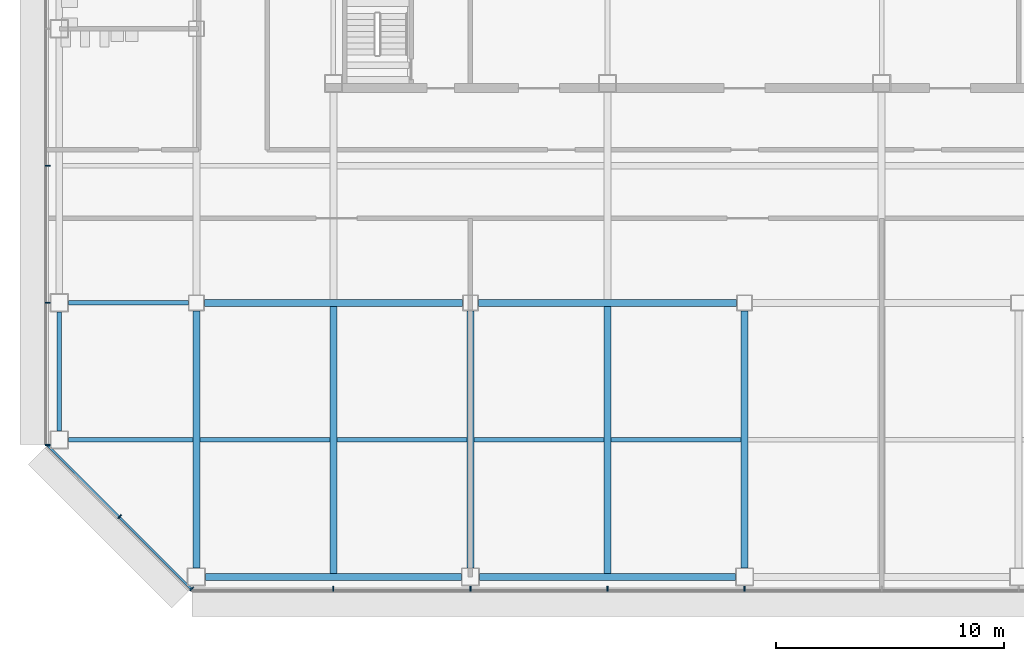
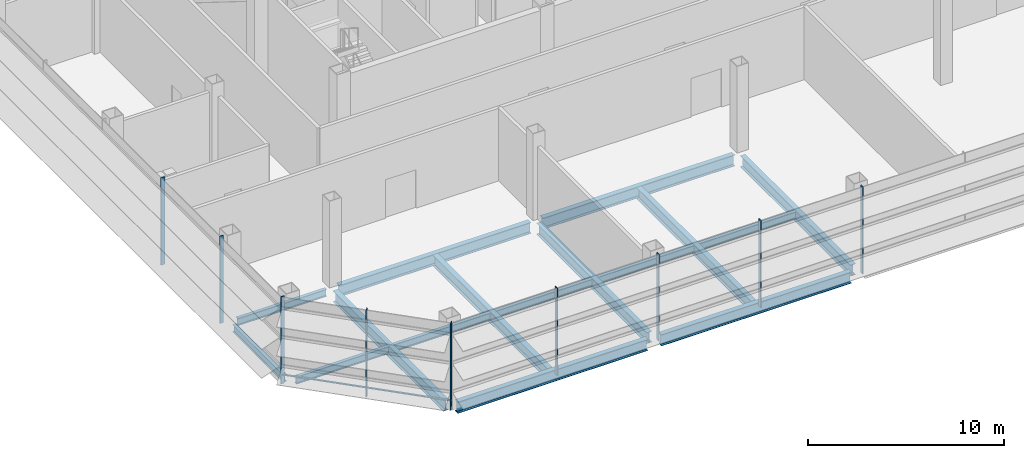
# One storey, part 2 of 23: 16 beams, 10 members, 3 elements without a shape of their own.
"""IFC4 building model written with IfcOpenShell, lengths in metres."""

from ifc_helpers import new_model, si_unit, direction, frame, origin, origin_2d, place, context, subcontext, project, spatial, rectangle, i_section, extrude, material, material_profile, profile_set, type_object, element, aggregate, save


model = new_model("IFC4")

# Units and contexts
model_context = context("Model", 3, precision=1e-05, world=origin(), true_north=direction((0.0, 1.0)))
body_context = subcontext(model_context, "Body", "Model", "MODEL_VIEW")
ifc_project = project(units=[si_unit("LENGTHUNIT", "METRE"), si_unit("AREAUNIT", "SQUARE_METRE"), si_unit("VOLUMEUNIT", "CUBIC_METRE"), si_unit("PLANEANGLEUNIT", "RADIAN"), si_unit("MASSUNIT", "GRAM", prefix="KILO")], contexts=[model_context])

# Site, building, storey
site_placement = place(None, origin())
site = spatial("IfcSite", under=ifc_project, at=site_placement, CompositionType="ELEMENT")
building_placement = place(site_placement, origin())
building = spatial("IfcBuilding", under=site, at=building_placement, Name="Sorahane Residences", CompositionType="ELEMENT")
storey_placement = place(building_placement, frame((0.0, 0.0, 114.199951171875)))
storey = spatial("IfcBuildingStorey", under=building, at=storey_placement, Name="L25", CompositionType="ELEMENT", Elevation=114.199951171875)

# Curtain wall, members
ifc_material_1 = material(Name="Dark low-e glass and black anodised aluminium", Category="aluminium")
curtain_wall_type = type_object("IfcCurtainWallType", Name="Curtain wall CW-4 Sky floor frameless wall", PredefinedType="NOTDEFINED", material=ifc_material_1)
curtain_wall_1_placement = place(storey_placement, origin())
curtain_wall_1 = element("IfcCurtainWall", 1, at=curtain_wall_1_placement, inside=storey, type_object=curtain_wall_type, Name="CW-4 curtain wall L25 S1", PredefinedType="NOTDEFINED")
ifc_material_2 = material(Name="Black anodised aluminium", Category="aluminium")
ifc_material_profile_1 = material_profile(ifc_material_2, rectangle(XDim=0.219970703125, YDim=0.050048828125, at=origin_2d()), Name="Curtain wall mullion CW-4 black anodised aluminium 50x220")
ifc_profile_set_1 = profile_set([ifc_material_profile_1], Name="Black anodised aluminium")
member_type_1 = type_object("IfcMemberType", Name="Curtain wall mullion CW-4 black anodised aluminium 50x220", PredefinedType="MULLION", material=ifc_profile_set_1)
member_1_placement = place(storey_placement, frame((6.0, -0.510009765625, -0.219970703125), z_axis=(0.0, 0.0, 1.0), x_axis=(0.0, -1.0, 0.0)))
member_1 = element("IfcMember", 2, at=member_1_placement, type_object=member_type_1, Name="CW-4 mullion L25 S1.2", PredefinedType="MULLION", context=body_context, shape_type="SweptSolid", body=[
    extrude(rectangle(XDim=0.219970703125, YDim=0.050048828125, at=origin_2d()), origin(), (0.0, 0.0, 1.0), 5.43994140625),
])
member_2_placement = place(storey_placement, frame((12.0, -0.510009765625, -0.219970703125), z_axis=(0.0, 0.0, 1.0), x_axis=(0.0, -1.0, 0.0)))
member_2 = element("IfcMember", 3, at=member_2_placement, type_object=member_type_1, Name="CW-4 mullion L25 S1.3", PredefinedType="MULLION", context=body_context, shape_type="SweptSolid", body=[
    extrude(rectangle(XDim=0.219970703125, YDim=0.050048828125, at=origin_2d()), origin(), (0.0, 0.0, 1.0), 5.43994140625),
])
member_3_placement = place(storey_placement, frame((18.0, -0.510009765625, -0.219970703125), z_axis=(0.0, 0.0, 1.0), x_axis=(0.0, -1.0, 0.0)))
member_3 = element("IfcMember", 4, at=member_3_placement, type_object=member_type_1, Name="CW-4 mullion L25 S1.4", PredefinedType="MULLION", context=body_context, shape_type="SweptSolid", body=[
    extrude(rectangle(XDim=0.219970703125, YDim=0.050048828125, at=origin_2d()), origin(), (0.0, 0.0, 1.0), 5.43994140625),
])
member_4_placement = place(storey_placement, frame((24.0, -0.510009765625, -0.219970703125), z_axis=(0.0, 0.0, 1.0), x_axis=(0.0, -1.0, 0.0)))
member_4 = element("IfcMember", 5, at=member_4_placement, type_object=member_type_1, Name="CW-4 mullion L25 S1.5", PredefinedType="MULLION", context=body_context, shape_type="SweptSolid", body=[
    extrude(rectangle(XDim=0.219970703125, YDim=0.050048828125, at=origin_2d()), origin(), (0.0, 0.0, 1.0), 5.43994140625),
])
aggregate(curtain_wall_1, [member_1, member_2, member_3, member_4])

curtain_wall_2_placement = place(storey_placement, origin())
curtain_wall_2 = element("IfcCurtainWall", 6, at=curtain_wall_2_placement, inside=storey, type_object=curtain_wall_type, Name="CW-4 curtain wall L25 W1", PredefinedType="NOTDEFINED")
member_5_placement = place(storey_placement, frame((-6.510009765625, 18.0, -0.219970703125), z_axis=(0.0, 0.0, 1.0), x_axis=(-1.0, 0.0, 0.0)))
member_5 = element("IfcMember", 7, at=member_5_placement, type_object=member_type_1, Name="CW-4 mullion L25 W1.5", PredefinedType="MULLION", context=body_context, shape_type="SweptSolid", body=[
    extrude(rectangle(XDim=0.219970703125, YDim=0.050048828125, at=origin_2d()), origin(), (0.0, 0.0, 1.0), 5.43994140625),
])
member_6_placement = place(storey_placement, frame((-6.510009765625, 12.0, -0.219970703125), z_axis=(0.0, 0.0, 1.0), x_axis=(-1.0, 0.0, 0.0)))
member_6 = element("IfcMember", 8, at=member_6_placement, type_object=member_type_1, Name="CW-4 mullion L25 W1.6", PredefinedType="MULLION", context=body_context, shape_type="SweptSolid", body=[
    extrude(rectangle(XDim=0.219970703125, YDim=0.050048828125, at=origin_2d()), origin(), (0.0, 0.0, 1.0), 5.43994140625),
])
member_7_placement = place(storey_placement, frame((-6.510009765625, 5.7763671875, -0.219970703125), z_axis=(0.0, 0.0, 1.0), x_axis=(-1.0, 0.0, 0.0)))
member_7 = element("IfcMember", 9, at=member_7_placement, type_object=member_type_1, Name="CW-4 mullion L25 W1.7", PredefinedType="MULLION", context=body_context, shape_type="SweptSolid", body=[
    extrude(rectangle(XDim=0.219970703125, YDim=0.050048828125, at=origin_2d()), origin(), (0.0, 0.0, 1.0), 5.43994140625),
])
aggregate(curtain_wall_2, [member_5, member_6, member_7])

curtain_wall_3_placement = place(storey_placement, origin())
curtain_wall_3 = element("IfcCurtainWall", 10, at=curtain_wall_3_placement, inside=storey, type_object=curtain_wall_type, Name="CW-4 curtain wall L25 SW1", PredefinedType="NOTDEFINED")
member_8_placement = place(storey_placement, frame((-3.360595703125, 2.639404296875, -0.219970703125), z_axis=(0.0, 0.0, 1.0), x_axis=(-0.707106781187, -0.707106781187, 0.0)))
member_8 = element("IfcMember", 11, at=member_8_placement, type_object=member_type_1, Name="CW-4 mullion L25 SW1.2", PredefinedType="MULLION", context=body_context, shape_type="SweptSolid", body=[
    extrude(rectangle(XDim=0.219970703125, YDim=0.050048828125, at=origin_2d()), origin(), (0.0, 0.0, 1.0), 5.43994140625),
])
member_9_placement = place(storey_placement, frame((-0.20263671875, -0.518798828125, -0.219970703125), z_axis=(0.0, 0.0, 1.0), x_axis=(-0.707106781187, -0.707106781187, 0.0)))
member_9 = element("IfcMember", 12, at=member_9_placement, type_object=member_type_1, Name="CW-4 mullion L25 SW1.3", PredefinedType="MULLION", context=body_context, shape_type="SweptSolid", body=[
    extrude(rectangle(XDim=0.219970703125, YDim=0.050048828125, at=origin_2d()), origin(), (0.0, 0.0, 1.0), 5.43994140625),
])
ifc_material_3 = material(Name="Black anodised aluminium", Category="aluminium")
ifc_material_profile_2 = material_profile(ifc_material_3, rectangle(XDim=0.10009765625, YDim=0.06005859375, at=origin_2d()), Name="Curtain wall transom CW-4 black anodised aluminium 60x100")
ifc_profile_set_2 = profile_set([ifc_material_profile_2], Name="Black anodised aluminium")
member_type_2 = type_object("IfcMemberType", Name="Curtain wall transom CW-4 black anodised aluminium 60x100", PredefinedType="USERDEFINED", material=ifc_profile_set_2)
member_10_placement = place(storey_placement, frame((-6.51513671875, 5.765625, 0.35009765625), z_axis=(0.707106781187, -0.707106781187, 0.0), x_axis=(0.707106781187, 0.707106781187, 0.0)))
member_10 = element("IfcMember", 13, at=member_10_placement, type_object=member_type_2, Name="CW-4 transom L25 SW1", ObjectType="TRANSOM", PredefinedType="USERDEFINED", context=body_context, shape_type="SweptSolid", body=[
    extrude(rectangle(XDim=0.10009765625, YDim=0.06005859375, at=origin_2d()), origin(), (0.0, 0.0, 1.0), 8.88232421875),
])
aggregate(curtain_wall_3, [member_8, member_9, member_10])

# Beams
ifc_material_4 = material(Name="Steel Q355B", Category="steel")
ifc_material_profile_3 = material_profile(ifc_material_4, i_section(OverallWidth=0.199951171875, OverallDepth=0.449951171875, WebThickness=0.009033203125, FlangeThickness=0.013916015625, FilletRadius=0.02001953125, at=origin_2d()), Name="HN 450x200x9x14")
ifc_profile_set_3 = profile_set([ifc_material_profile_3], Name="Steel Q355B")
beam_type_1 = type_object("IfcBeamType", Name="Steel floor beam HN 450x200x9x14 Q355B", PredefinedType="BEAM", material=ifc_profile_set_3)
beam_1_placement = place(storey_placement, frame((-5.60009765625, 12.0, -0.445068359375), z_axis=(1.0, 0.0, 0.0), x_axis=(0.0, 1.0, 0.0)))
element("IfcBeam", 14, at=beam_1_placement, inside=storey, type_object=beam_type_1, Name="Beam L25 005", PredefinedType="BEAM", context=body_context, shape_type="SweptSolid", body=[
    extrude(i_section(OverallWidth=0.199951171875, OverallDepth=0.449951171875, WebThickness=0.009033203125, FlangeThickness=0.013916015625, FilletRadius=0.02001953125, at=origin_2d()), origin(), (0.0, 0.0, 1.0), 5.25),
])
beam_2_placement = place(storey_placement, frame((-6.0, 6.39990234375, -0.445068359375), z_axis=(0.0, 1.0, 0.0), x_axis=(-1.0, 0.0, 0.0)))
element("IfcBeam", 15, at=beam_2_placement, inside=storey, type_object=beam_type_1, Name="Beam L25 020", PredefinedType="BEAM", context=body_context, shape_type="SweptSolid", body=[
    extrude(i_section(OverallWidth=0.199951171875, OverallDepth=0.449951171875, WebThickness=0.009033203125, FlangeThickness=0.013916015625, FilletRadius=0.02001953125, at=origin_2d()), origin(), (0.0, 0.0, 1.0), 5.2001953125),
])
beam_3_placement = place(storey_placement, frame((-5.60009765625, 6.0, -0.445068359375), z_axis=(1.0, 0.0, 0.0), x_axis=(0.0, 1.0, 0.0)))
element("IfcBeam", 16, at=beam_3_placement, inside=storey, type_object=beam_type_1, Name="Beam L25 068", PredefinedType="BEAM", context=body_context, shape_type="SweptSolid", body=[
    extrude(i_section(OverallWidth=0.199951171875, OverallDepth=0.449951171875, WebThickness=0.009033203125, FlangeThickness=0.013916015625, FilletRadius=0.02001953125, at=origin_2d()), origin(), (0.0, 0.0, 1.0), 5.4501953125),
])
for number, where, z_axis, x_axis, name in (
    (17, (0.14990234375, 6.0, -0.445068359375), (1.0, 0.0, 0.0), (0.0, 1.0, 0.0), "Beam L25 069"),
    (18, (6.14990234375, 6.0, -0.445068359375), (1.0, 0.0, 0.0), (0.0, 1.0, 0.0), "Beam L25 070"),
    (19, (12.14990234375, 6.0, -0.445068359375), (1.0, 0.0, 0.0), (0.0, 1.0, 0.0), "Beam L25 071"),
    (20, (18.14990234375, 6.0, -0.445068359375), (1.0, 0.0, 0.0), (0.0, 1.0, 0.0), "Beam L25 072"),
):
    element("IfcBeam", number, at=place(storey_placement, frame(where, z_axis=z_axis, x_axis=x_axis)), inside=storey, type_object=beam_type_1, Name=name, PredefinedType="BEAM", context=body_context, shape_type="SweptSolid", body=[
        extrude(i_section(OverallWidth=0.199951171875, OverallDepth=0.449951171875, WebThickness=0.009033203125, FlangeThickness=0.013916015625, FilletRadius=0.02001953125, at=origin_2d()), origin(), (0.0, 0.0, 1.0), 5.7001953125),
    ])
ifc_material_5 = material(Name="Steel Q355B", Category="steel")
ifc_material_profile_4 = material_profile(ifc_material_5, i_section(OverallWidth=0.300048828125, OverallDepth=0.699951171875, WebThickness=0.012939453125, FlangeThickness=0.02392578125, FilletRadius=0.028076171875, at=origin_2d()), Name="HN 700x300x13x24")
ifc_profile_set_4 = profile_set([ifc_material_profile_4], Name="Steel Q355B")
beam_type_2 = type_object("IfcBeamType", Name="Steel floor beam HN 700x300x13x24 Q355B", PredefinedType="BEAM", material=ifc_profile_set_4)
for number, where, z_axis, x_axis, name in (
    (21, (0.39990234375, 0.0, -0.570068359375), (1.0, 0.0, 0.0), (0.0, 1.0, 0.0), "Beam L25 000"),
    (22, (12.39990234375, 0.0, -0.570068359375), (1.0, 0.0, 0.0), (0.0, 1.0, 0.0), "Beam L25 001"),
):
    element("IfcBeam", number, at=place(storey_placement, frame(where, z_axis=z_axis, x_axis=x_axis)), inside=storey, type_object=beam_type_2, Name=name, PredefinedType="BEAM", context=body_context, shape_type="SweptSolid", body=[
        extrude(i_section(OverallWidth=0.300048828125, OverallDepth=0.699951171875, WebThickness=0.012939453125, FlangeThickness=0.02392578125, FilletRadius=0.028076171875, at=origin_2d()), origin(), (0.0, 0.0, 1.0), 11.2001953125),
    ])
for number, where, z_axis, x_axis, name in (
    (23, (0.35009765625, 12.0, -0.570068359375), (1.0, 0.0, 0.0), (0.0, 1.0, 0.0), "Beam L25 006"),
    (24, (12.35009765625, 12.0, -0.570068359375), (1.0, 0.0, 0.0), (0.0, 1.0, 0.0), "Beam L25 007"),
):
    element("IfcBeam", number, at=place(storey_placement, frame(where, z_axis=z_axis, x_axis=x_axis)), inside=storey, type_object=beam_type_2, Name=name, PredefinedType="BEAM", context=body_context, shape_type="SweptSolid", body=[
        extrude(i_section(OverallWidth=0.300048828125, OverallDepth=0.699951171875, WebThickness=0.012939453125, FlangeThickness=0.02392578125, FilletRadius=0.028076171875, at=origin_2d()), origin(), (0.0, 0.0, 1.0), 11.2998046875),
    ])
beam_4_placement = place(storey_placement, frame((0.0, 0.39990234375, -0.570068359375), z_axis=(0.0, 1.0, 0.0), x_axis=(-1.0, 0.0, 0.0)))
element("IfcBeam", 25, at=beam_4_placement, inside=storey, type_object=beam_type_2, Name="Beam L25 024", PredefinedType="BEAM", context=body_context, shape_type="SweptSolid", body=[
    extrude(i_section(OverallWidth=0.300048828125, OverallDepth=0.699951171875, WebThickness=0.012939453125, FlangeThickness=0.02392578125, FilletRadius=0.028076171875, at=origin_2d()), origin(), (0.0, 0.0, 1.0), 11.25),
])
beam_5_placement = place(storey_placement, frame((6.0, 0.14990234375, -0.570068359375), z_axis=(0.0, 1.0, 0.0), x_axis=(-1.0, 0.0, 0.0)))
element("IfcBeam", 26, at=beam_5_placement, inside=storey, type_object=beam_type_2, Name="Beam L25 028", PredefinedType="BEAM", context=body_context, shape_type="SweptSolid", body=[
    extrude(i_section(OverallWidth=0.300048828125, OverallDepth=0.699951171875, WebThickness=0.012939453125, FlangeThickness=0.02392578125, FilletRadius=0.028076171875, at=origin_2d()), origin(), (0.0, 0.0, 1.0), 11.7001953125),
])
beam_6_placement = place(storey_placement, frame((12.0, 0.39990234375, -0.570068359375), z_axis=(0.0, 1.0, 0.0), x_axis=(-1.0, 0.0, 0.0)))
element("IfcBeam", 27, at=beam_6_placement, inside=storey, type_object=beam_type_2, Name="Beam L25 034", PredefinedType="BEAM", context=body_context, shape_type="SweptSolid", body=[
    extrude(i_section(OverallWidth=0.300048828125, OverallDepth=0.699951171875, WebThickness=0.012939453125, FlangeThickness=0.02392578125, FilletRadius=0.028076171875, at=origin_2d()), origin(), (0.0, 0.0, 1.0), 11.25),
])
beam_7_placement = place(storey_placement, frame((18.0, 0.14990234375, -0.570068359375), z_axis=(0.0, 1.0, 0.0), x_axis=(-1.0, 0.0, 0.0)))
element("IfcBeam", 28, at=beam_7_placement, inside=storey, type_object=beam_type_2, Name="Beam L25 036", PredefinedType="BEAM", context=body_context, shape_type="SweptSolid", body=[
    extrude(i_section(OverallWidth=0.300048828125, OverallDepth=0.699951171875, WebThickness=0.012939453125, FlangeThickness=0.02392578125, FilletRadius=0.028076171875, at=origin_2d()), origin(), (0.0, 0.0, 1.0), 11.7001953125),
])
beam_8_placement = place(storey_placement, frame((24.0, 0.39990234375, -0.570068359375), z_axis=(0.0, 1.0, 0.0), x_axis=(-1.0, 0.0, 0.0)))
element("IfcBeam", 29, at=beam_8_placement, inside=storey, type_object=beam_type_2, Name="Beam L25 042", PredefinedType="BEAM", context=body_context, shape_type="SweptSolid", body=[
    extrude(i_section(OverallWidth=0.300048828125, OverallDepth=0.699951171875, WebThickness=0.012939453125, FlangeThickness=0.02392578125, FilletRadius=0.028076171875, at=origin_2d()), origin(), (0.0, 0.0, 1.0), 11.25),
])

save(model, "model.ifc")
